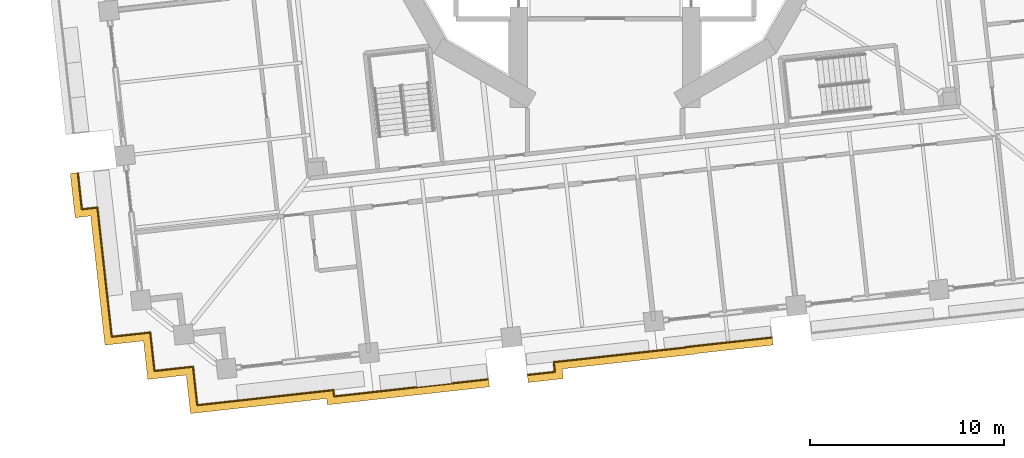
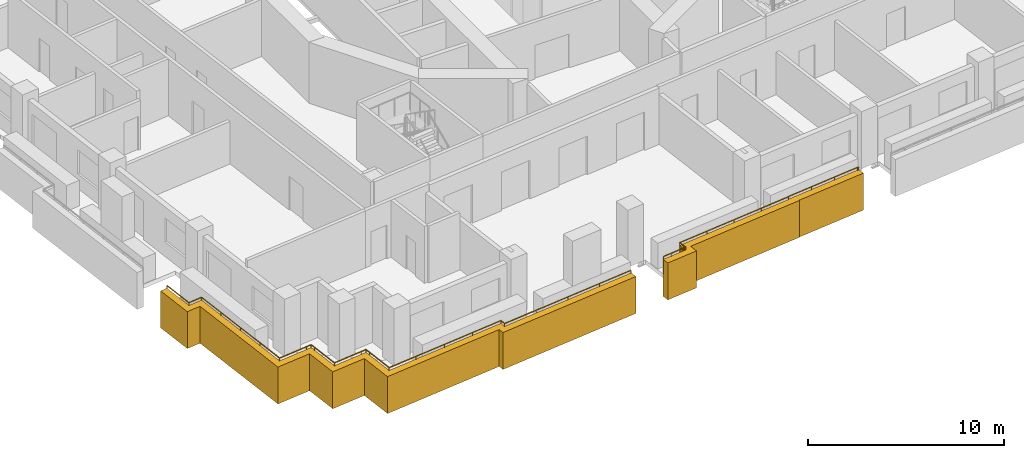
# One storey, part 11 of 18: 2 coverings, 2 railings.
"""IFC4 building model written with IfcOpenShell, lengths in metres."""

from ifc_helpers import new_model, si_unit, direction, frame, origin, origin_2d, place, context, subcontext, project, spatial, polyline, circle, outline, extrude, material, type_object, element, save


model = new_model("IFC4")

# Units and contexts
model_context = context("Model", 3, precision=1e-05, world=origin(), true_north=direction((0.0, 1.0)))
body_context = subcontext(model_context, "Body", "Model", "MODEL_VIEW")
ifc_project = project(units=[si_unit("LENGTHUNIT", "METRE"), si_unit("AREAUNIT", "SQUARE_METRE"), si_unit("VOLUMEUNIT", "CUBIC_METRE"), si_unit("PLANEANGLEUNIT", "RADIAN"), si_unit("MASSUNIT", "GRAM", prefix="KILO")], contexts=[model_context])

# Site, building, storey
site_placement = place(None, origin())
site = spatial("IfcSite", under=ifc_project, at=site_placement, CompositionType="ELEMENT")
building_placement = place(site_placement, origin())
building = spatial("IfcBuilding", under=site, at=building_placement, Name="Cantera Rosa Tower", CompositionType="ELEMENT")
storey_placement = place(building_placement, frame((0.0, 0.0, 76.699951171875)))
storey = spatial("IfcBuildingStorey", under=building, at=storey_placement, Name="L16", CompositionType="ELEMENT", Elevation=76.699951171875)

# Railings
ifc_material_1 = material(Name="Stainless steel and laminated glass", Category="steel")
railing_type = type_object("IfcRailingType", Name="GUARD 1100", PredefinedType="BALUSTRADE", material=ifc_material_1)
railing_1_placement = place(storey_placement, frame((-6.037353515625, -25.650634765625, 0.0)))
element("IfcRailing", 1, at=railing_1_placement, inside=storey, type_object=railing_type, Name="GUARD L16-1", PredefinedType="BALUSTRADE", context=body_context, shape_type="SweptSolid", body=[
    extrude(circle(Radius=0.030029296875, at=origin_2d()), frame((0.0, 0.0, 1.070068359375), z_axis=(-0.993896384884, -0.11031761471, 0.0), x_axis=(0.11031761471, -0.993896384884, 0.0)), (0.0, 0.0, 1.0), 7.998046875),
    extrude(circle(Radius=0.030029296875, at=origin_2d()), frame((-7.94921875, -0.88232421875, 1.070068359375), z_axis=(-0.110839749591, 0.99383829163, 0.0), x_axis=(-0.99383829163, -0.110839749591, 0.0)), (0.0, 0.0, 1.0), 0.328125),
    extrude(circle(Radius=0.030029296875, at=origin_2d()), frame((-7.985595703125, -0.55615234375, 1.070068359375), z_axis=(-0.993897583515, -0.110306815218, 0.0), x_axis=(0.110306815218, -0.993897583515, 0.0)), (0.0, 0.0, 1.0), 5.37158203125),
    extrude(circle(Radius=0.030029296875, at=origin_2d()), frame((-13.324462890625, -1.148681640625, 1.070068359375), z_axis=(-0.993883734674, -0.110431526075, 0.0), x_axis=(0.110431526075, -0.993883734674, 0.0)), (0.0, 0.0, 1.0), 1.7001953125),
    extrude(circle(Radius=0.030029296875, at=origin_2d()), frame((-15.01416015625, -1.33642578125, 1.070068359375), z_axis=(-0.110289669906, 0.993899486222, 0.0), x_axis=(-0.993899486222, -0.110289669906, 0.0)), (0.0, 0.0, 1.0), 1.699951171875),
    extrude(circle(Radius=0.030029296875, at=origin_2d()), frame((-15.20166015625, 0.353271484375, 1.070068359375), z_axis=(-0.110699535641, 0.99385391925, 0.0), x_axis=(-0.99385391925, -0.110699535641, 0.0)), (0.0, 0.0, 1.0), 0.300048828125),
    extrude(circle(Radius=0.030029296875, at=origin_2d()), frame((-15.23486328125, 0.6513671875, 1.070068359375), z_axis=(-0.993943154022, -0.10989543472, 0.0), x_axis=(0.10989543472, -0.993943154022, 0.0)), (0.0, 0.0, 1.0), 0.2998046875),
    extrude(circle(Radius=0.030029296875, at=origin_2d()), frame((-15.532958984375, 0.618408203125, 1.070068359375), z_axis=(-0.993899486222, -0.110289669906, 0.0), x_axis=(0.110289669906, -0.993899486222, 0.0)), (0.0, 0.0, 1.0), 1.699951171875),
    extrude(circle(Radius=0.030029296875, at=origin_2d()), frame((-17.22265625, 0.430908203125, 1.070068359375), z_axis=(-0.110305413813, 0.993897739047, 0.0), x_axis=(-0.993897739047, -0.110305413813, 0.0)), (0.0, 0.0, 1.0), 1.69970703125),
    extrude(circle(Radius=0.030029296875, at=origin_2d()), frame((-17.41015625, 2.120361328125, 1.070068359375), z_axis=(-0.1098065887, 0.993952973273, 0.0), x_axis=(-0.993952973273, -0.1098065887, 0.0)), (0.0, 0.0, 1.0), 0.300048828125),
    extrude(circle(Radius=0.030029296875, at=origin_2d()), frame((-17.443115234375, 2.418701171875, 1.070068359375), z_axis=(-0.993863881828, -0.110610055588, 0.0), x_axis=(0.110610055588, -0.993863881828, 0.0)), (0.0, 0.0, 1.0), 0.30029296875),
    extrude(circle(Radius=0.030029296875, at=origin_2d()), frame((-17.741455078125, 2.385498046875, 1.070068359375), z_axis=(-0.993897739047, -0.110305413813, 0.0), x_axis=(0.110305413813, -0.993897739047, 0.0)), (0.0, 0.0, 1.0), 1.69970703125),
    extrude(circle(Radius=0.030029296875, at=origin_2d()), frame((-19.430908203125, 2.197998046875, 1.070068359375), z_axis=(-0.110289669906, 0.993899486222, 0.0), x_axis=(-0.993899486222, -0.110289669906, 0.0)), (0.0, 0.0, 1.0), 1.699951171875),
    extrude(circle(Radius=0.030029296875, at=origin_2d()), frame((-19.618408203125, 3.8876953125, 1.070068359375), z_axis=(-0.110346010062, 0.993893232728, 0.0), x_axis=(-0.993893232728, -0.110346010062, 0.0)), (0.0, 0.0, 1.0), 5.013427734375),
    extrude(circle(Radius=0.030029296875, at=origin_2d()), frame((-20.171630859375, 8.87060546875, 1.070068359375), z_axis=(-0.993876348691, -0.110497979675, 0.0), x_axis=(0.110497979675, -0.993876348691, 0.0)), (0.0, 0.0, 1.0), 0.806396484375),
    extrude(circle(Radius=0.030029296875, at=origin_2d()), frame((-20.97314453125, 8.781494140625, 1.070068359375), z_axis=(-0.110317298966, 0.99389641993, 0.0), x_axis=(-0.99389641993, -0.110317298966, 0.0)), (0.0, 0.0, 1.0), 1.876708984375),
    extrude(circle(Radius=0.02490234375, at=origin_2d()), origin(), (0.0, 0.0, 1.0), 1.0400390625),
    extrude(circle(Radius=0.02490234375, at=origin_2d()), frame((-1.9873046875, -0.220703125, 0.0)), (0.0, 0.0, 1.0), 1.0400390625),
    extrude(circle(Radius=0.02490234375, at=origin_2d()), frame((-3.974609375, -0.441162109375, 0.0)), (0.0, 0.0, 1.0), 1.0400390625),
    extrude(circle(Radius=0.02490234375, at=origin_2d()), frame((-5.9619140625, -0.66162109375, 0.0)), (0.0, 0.0, 1.0), 1.0400390625),
    extrude(circle(Radius=0.02490234375, at=origin_2d()), frame((-7.94921875, -0.88232421875, 0.0)), (0.0, 0.0, 1.0), 1.0400390625),
    extrude(circle(Radius=0.02490234375, at=origin_2d()), frame((-7.985595703125, -0.55615234375, 0.0)), (0.0, 0.0, 1.0), 1.0400390625),
    extrude(circle(Radius=0.02490234375, at=origin_2d()), frame((-9.76513671875, -0.753662109375, 0.0)), (0.0, 0.0, 1.0), 1.0400390625),
    extrude(circle(Radius=0.02490234375, at=origin_2d()), frame((-11.544921875, -0.951171875, 0.0)), (0.0, 0.0, 1.0), 1.0400390625),
    extrude(circle(Radius=0.02490234375, at=origin_2d()), frame((-13.324462890625, -1.148681640625, 0.0)), (0.0, 0.0, 1.0), 1.0400390625),
    extrude(circle(Radius=0.02490234375, at=origin_2d()), frame((-15.01416015625, -1.33642578125, 0.0)), (0.0, 0.0, 1.0), 1.0400390625),
    extrude(circle(Radius=0.02490234375, at=origin_2d()), frame((-15.20166015625, 0.353271484375, 0.0)), (0.0, 0.0, 1.0), 1.0400390625),
    extrude(circle(Radius=0.02490234375, at=origin_2d()), frame((-15.23486328125, 0.6513671875, 0.0)), (0.0, 0.0, 1.0), 1.0400390625),
    extrude(circle(Radius=0.02490234375, at=origin_2d()), frame((-15.532958984375, 0.618408203125, 0.0)), (0.0, 0.0, 1.0), 1.0400390625),
    extrude(circle(Radius=0.02490234375, at=origin_2d()), frame((-17.22265625, 0.430908203125, 0.0)), (0.0, 0.0, 1.0), 1.0400390625),
    extrude(circle(Radius=0.02490234375, at=origin_2d()), frame((-17.41015625, 2.120361328125, 0.0)), (0.0, 0.0, 1.0), 1.0400390625),
    extrude(circle(Radius=0.02490234375, at=origin_2d()), frame((-17.443115234375, 2.418701171875, 0.0)), (0.0, 0.0, 1.0), 1.0400390625),
    extrude(circle(Radius=0.02490234375, at=origin_2d()), frame((-17.741455078125, 2.385498046875, 0.0)), (0.0, 0.0, 1.0), 1.0400390625),
    extrude(circle(Radius=0.02490234375, at=origin_2d()), frame((-19.430908203125, 2.197998046875, 0.0)), (0.0, 0.0, 1.0), 1.0400390625),
    extrude(circle(Radius=0.02490234375, at=origin_2d()), frame((-19.618408203125, 3.8876953125, 0.0)), (0.0, 0.0, 1.0), 1.0400390625),
    extrude(circle(Radius=0.02490234375, at=origin_2d()), frame((-19.802734375, 5.548583984375, 0.0)), (0.0, 0.0, 1.0), 1.0400390625),
    extrude(circle(Radius=0.02490234375, at=origin_2d()), frame((-19.9873046875, 7.209716796875, 0.0)), (0.0, 0.0, 1.0), 1.0400390625),
    extrude(circle(Radius=0.02490234375, at=origin_2d()), frame((-20.171630859375, 8.87060546875, 0.0)), (0.0, 0.0, 1.0), 1.0400390625),
    extrude(circle(Radius=0.02490234375, at=origin_2d()), frame((-20.97314453125, 8.781494140625, 0.0)), (0.0, 0.0, 1.0), 1.0400390625),
    extrude(circle(Radius=0.02490234375, at=origin_2d()), frame((-21.18017578125, 10.646728515625, 0.0)), (0.0, 0.0, 1.0), 1.0400390625),
])
railing_2_placement = place(storey_placement, frame((8.6142578125, -23.4931640625, 0.0)))
element("IfcRailing", 2, at=railing_2_placement, inside=storey, type_object=railing_type, Name="GUARD L16-6", PredefinedType="BALUSTRADE", context=body_context, shape_type="SweptSolid", body=[
    extrude(circle(Radius=0.030029296875, at=origin_2d()), frame((0.0, 0.0, 1.070068359375), z_axis=(-0.994136314057, -0.108134125389, 0.0), x_axis=(0.108134125389, -0.994136314057, 0.0)), (0.0, 0.0, 1.0), 0.070068359375),
    extrude(circle(Radius=0.030029296875, at=origin_2d()), frame((-0.069580078125, -0.007568359375, 1.070068359375), z_axis=(-0.993893250705, -0.110345848143, 0.0), x_axis=(0.110345848143, -0.993893250705, 0.0)), (0.0, 0.0, 1.0), 4.378662109375),
    extrude(circle(Radius=0.030029296875, at=origin_2d()), frame((-4.42138671875, -0.49072265625, 1.070068359375), z_axis=(0.102899151086, -0.994691793827, 0.0), x_axis=(0.994691793827, 0.102899151086, 0.0)), (0.0, 0.0, 1.0), 0.021240234375),
    extrude(circle(Radius=0.030029296875, at=origin_2d()), frame((-4.419189453125, -0.511962890625, 1.070068359375), z_axis=(-0.993893669507, -0.110342075897, 0.0), x_axis=(0.110342075897, -0.993893669507, 0.0)), (0.0, 0.0, 1.0), 6.889892578125),
    extrude(circle(Radius=0.030029296875, at=origin_2d()), frame((-11.26708984375, -1.272216796875, 1.070068359375), z_axis=(-0.986393923832, -0.164398987305, 0.0), x_axis=(0.164398987305, -0.986393923832, 0.0)), (0.0, 0.0, 1.0), 0.0029296875),
    extrude(circle(Radius=0.030029296875, at=origin_2d()), frame((-11.27001953125, -1.272705078125, 1.070068359375), z_axis=(0.071247049988, -0.997458699831, 0.0), x_axis=(0.997458699831, 0.071247049988, 0.0)), (0.0, 0.0, 1.0), 0.00341796875),
    extrude(circle(Radius=0.030029296875, at=origin_2d()), frame((-11.269775390625, -1.276123046875, 1.070068359375), z_axis=(0.109976022438, -0.993934240525, 0.0), x_axis=(0.993934240525, 0.109976022438, 0.0)), (0.0, 0.0, 1.0), 0.35302734375),
    extrude(circle(Radius=0.030029296875, at=origin_2d()), frame((-11.23095703125, -1.626953125, 1.070068359375), z_axis=(0.0, -1.0, 0.0), x_axis=(1.0, 0.0, 0.0)), (0.0, 0.0, 1.0), 0.00048828125),
    extrude(circle(Radius=0.030029296875, at=origin_2d()), frame((-11.23095703125, -1.62744140625, 1.070068359375), z_axis=(0.110968841125, -0.993823885957, 0.0), x_axis=(0.993823885957, 0.110968841125, 0.0)), (0.0, 0.0, 1.0), 0.149658203125),
    extrude(circle(Radius=0.030029296875, at=origin_2d()), frame((-11.21435546875, -1.776123046875, 1.070068359375), z_axis=(-0.993983015137, -0.109534312523, 0.0), x_axis=(0.109534312523, -0.993983015137, 0.0)), (0.0, 0.0, 1.0), 0.1494140625),
    extrude(circle(Radius=0.030029296875, at=origin_2d()), frame((-11.36279296875, -1.79248046875, 1.070068359375), z_axis=(-0.948683298051, -0.316227766017, 0.0), x_axis=(0.316227766017, -0.948683298051, 0.0)), (0.0, 0.0, 1.0), 0.000732421875),
    extrude(circle(Radius=0.030029296875, at=origin_2d()), frame((-11.363525390625, -1.792724609375, 1.070068359375), z_axis=(-0.993911286923, -0.110183273355, 0.0), x_axis=(0.110183273355, -0.993911286923, 0.0)), (0.0, 0.0, 1.0), 0.755615234375),
    extrude(circle(Radius=0.030029296875, at=origin_2d()), frame((-12.114501953125, -1.8759765625, 1.070068359375), z_axis=(-0.993871638557, -0.110540336857, 0.0), x_axis=(0.110540336857, -0.993871638557, 0.0)), (0.0, 0.0, 1.0), 0.492431640625),
    extrude(circle(Radius=0.02490234375, at=origin_2d()), origin(), (0.0, 0.0, 1.0), 1.0400390625),
    extrude(circle(Radius=0.02490234375, at=origin_2d()), frame((-0.069580078125, -0.007568359375, 0.0)), (0.0, 0.0, 1.0), 1.0400390625),
    extrude(circle(Radius=0.02490234375, at=origin_2d()), frame((-1.520263671875, -0.168701171875, 0.0)), (0.0, 0.0, 1.0), 1.0400390625),
    extrude(circle(Radius=0.02490234375, at=origin_2d()), frame((-2.970703125, -0.32958984375, 0.0)), (0.0, 0.0, 1.0), 1.0400390625),
    extrude(circle(Radius=0.02490234375, at=origin_2d()), frame((-4.42138671875, -0.49072265625, 0.0)), (0.0, 0.0, 1.0), 1.0400390625),
    extrude(circle(Radius=0.02490234375, at=origin_2d()), frame((-4.419189453125, -0.511962890625, 0.0)), (0.0, 0.0, 1.0), 1.0400390625),
    extrude(circle(Radius=0.02490234375, at=origin_2d()), frame((-6.131103515625, -0.7021484375, 0.0)), (0.0, 0.0, 1.0), 1.0400390625),
    extrude(circle(Radius=0.02490234375, at=origin_2d()), frame((-7.84326171875, -0.89208984375, 0.0)), (0.0, 0.0, 1.0), 1.0400390625),
    extrude(circle(Radius=0.02490234375, at=origin_2d()), frame((-9.55517578125, -1.08203125, 0.0)), (0.0, 0.0, 1.0), 1.0400390625),
    extrude(circle(Radius=0.02490234375, at=origin_2d()), frame((-11.26708984375, -1.272216796875, 0.0)), (0.0, 0.0, 1.0), 1.0400390625),
    extrude(circle(Radius=0.02490234375, at=origin_2d()), frame((-11.27001953125, -1.272705078125, 0.0)), (0.0, 0.0, 1.0), 1.0400390625),
    extrude(circle(Radius=0.02490234375, at=origin_2d()), frame((-11.269775390625, -1.276123046875, 0.0)), (0.0, 0.0, 1.0), 1.0400390625),
    extrude(circle(Radius=0.02490234375, at=origin_2d()), frame((-11.23095703125, -1.626953125, 0.0)), (0.0, 0.0, 1.0), 1.0400390625),
    extrude(circle(Radius=0.02490234375, at=origin_2d()), frame((-11.23095703125, -1.62744140625, 0.0)), (0.0, 0.0, 1.0), 1.0400390625),
    extrude(circle(Radius=0.02490234375, at=origin_2d()), frame((-11.21435546875, -1.776123046875, 0.0)), (0.0, 0.0, 1.0), 1.0400390625),
    extrude(circle(Radius=0.02490234375, at=origin_2d()), frame((-11.36279296875, -1.79248046875, 0.0)), (0.0, 0.0, 1.0), 1.0400390625),
    extrude(circle(Radius=0.02490234375, at=origin_2d()), frame((-11.363525390625, -1.792724609375, 0.0)), (0.0, 0.0, 1.0), 1.0400390625),
    extrude(circle(Radius=0.02490234375, at=origin_2d()), frame((-12.114501953125, -1.8759765625, 0.0)), (0.0, 0.0, 1.0), 1.0400390625),
    extrude(circle(Radius=0.02490234375, at=origin_2d()), frame((-12.60400390625, -1.930419921875, 0.0)), (0.0, 0.0, 1.0), 1.0400390625),
])

# Coverings
ifc_material_2 = material(Name="Cantera stone", Category="masonry")
covering_type = type_object("IfcCoveringType", Name="TRAY FASCIA 400", PredefinedType="CLADDING", material=ifc_material_2)
covering_1_placement = place(storey_placement, frame((0.0, 0.0, -1.39990234375)))
element("IfcCovering", 3, at=covering_1_placement, inside=storey, type_object=covering_type, Name="TRAY FASCIA L16-03", PredefinedType="CLADDING", context=body_context, shape_type="SweptSolid", body=[
    extrude(outline(polyline([(-14.340087890625, -26.974853515625), (-14.376220703125, -26.6484375), (-19.317626953125, -27.197021484375), (-21.405029296875, -27.4287109375), (-21.62548828125, -25.44091796875), (-23.61328125, -25.661376953125), (-23.833984375, -23.673583984375), (-25.82177734375, -23.894287109375), (-26.053466796875, -21.80712890625), (-26.562255859375, -17.221923828125), (-27.364013671875, -17.310791015625), (-27.61767578125, -15.02587890625), (-27.617431640625, -15.02587890625), (-27.616455078125, -15.0263671875), (-27.615478515625, -15.02685546875), (-27.61474609375, -15.027099609375), (-27.61376953125, -15.02734375), (-27.61279296875, -15.027587890625), (-27.61181640625, -15.027587890625), (-27.61083984375, -15.027587890625), (-27.2197265625, -14.984130859375), (-27.010498046875, -16.869140625), (-26.208984375, -16.780029296875), (-25.65576171875, -21.762939453125), (-25.46826171875, -23.45263671875), (-23.77880859375, -23.26513671875), (-23.48046875, -23.23193359375), (-23.447509765625, -23.5302734375), (-23.260009765625, -25.2197265625), (-21.5703125, -25.0322265625), (-21.272216796875, -24.999267578125), (-21.239013671875, -25.29736328125), (-21.051513671875, -26.987060546875), (-19.36181640625, -26.79931640625), (-14.02294921875, -26.206787109375), (-13.986572265625, -26.532958984375), (-6.017333984375, -25.6484375), (-5.97314453125, -26.046142578125), (-14.340087890625, -26.974853515625)])), origin(), (0.0, 0.0, 1.0), 2.300048828125),
])
covering_2_placement = place(storey_placement, frame((0.0, 0.0, -1.39990234375)))
element("IfcCovering", 4, at=covering_2_placement, inside=storey, type_object=covering_type, Name="TRAY FASCIA L16-05", PredefinedType="CLADDING", context=body_context, shape_type="SweptSolid", body=[
    extrude(outline(polyline([(8.588623046875, -23.8984375), (4.634521484375, -24.33740234375), (4.636962890625, -24.358642578125), (-2.21435546875, -25.119140625), (-2.158447265625, -25.622802734375), (-3.965576171875, -25.8232421875), (-4.009765625, -25.42578125), (-2.60009765625, -25.269287109375), (-2.656005859375, -24.765625), (4.195068359375, -24.005126953125), (4.19287109375, -23.98388671875), (8.544677734375, -23.500732421875), (8.634033203125, -23.490966796875), (8.67822265625, -23.888427734375), (8.588623046875, -23.8984375)])), origin(), (0.0, 0.0, 1.0), 2.300048828125),
])

save(model, "model.ifc")
